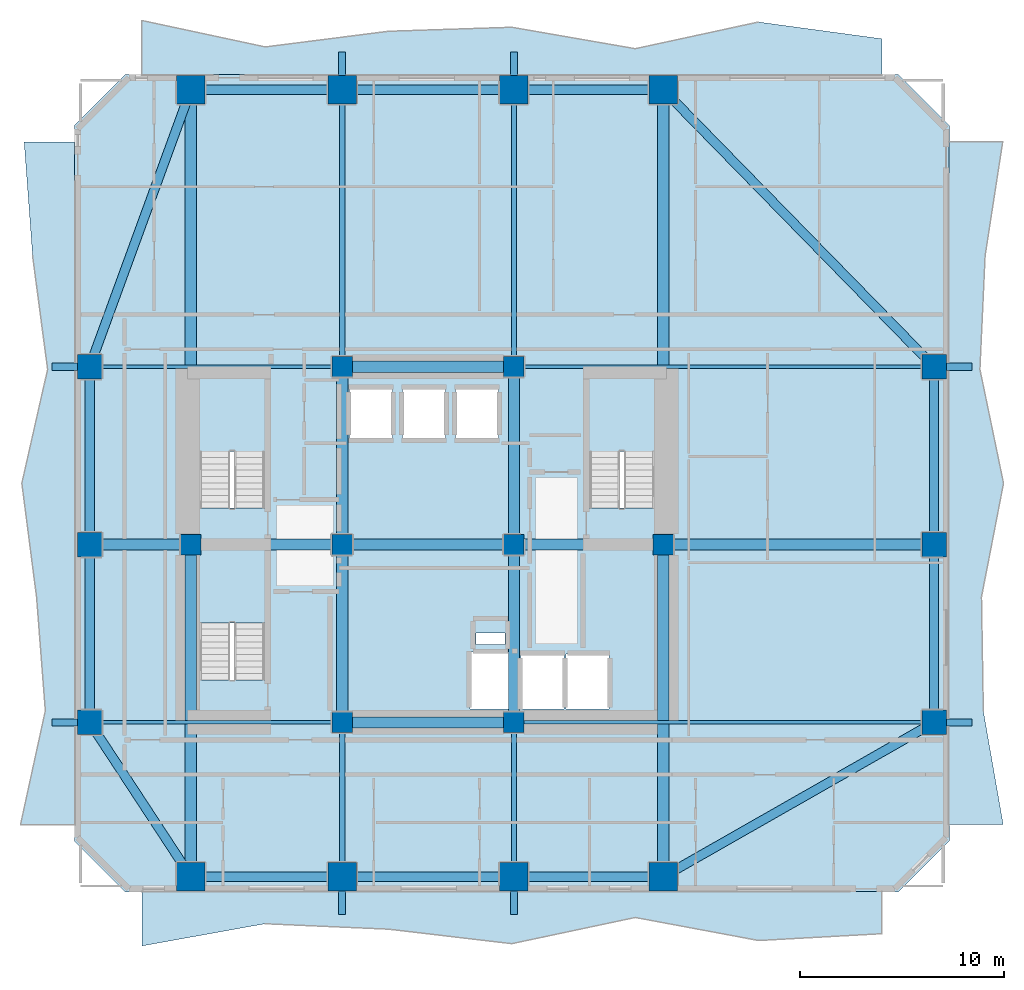
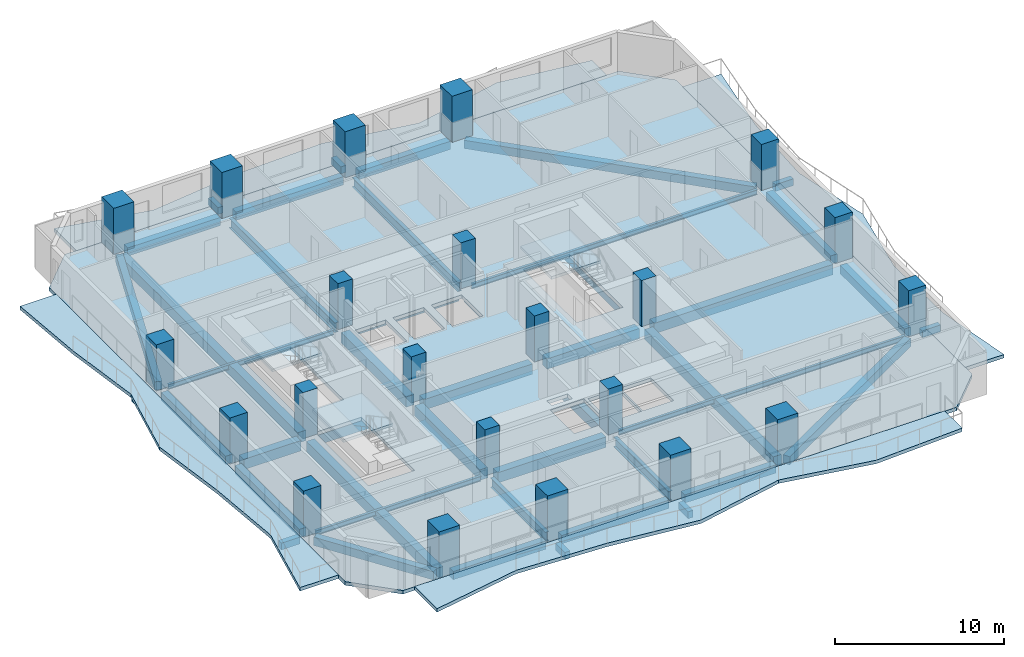
# One storey, part 1 of 11: 45 beams, 22 columns, 8 slabs, 3 elements without a shape of their own.
"""IFC4 building model written with IfcOpenShell, lengths in metres."""

from ifc_helpers import new_model, si_unit, direction, frame, origin, origin_2d, place, context, subcontext, project, spatial, polyline, rectangle, i_section, outline, extrude, material, layer, layer_set, material_profile, profile_set, type_object, element, aggregate, save


model = new_model("IFC4")

# Units and contexts
model_context = context("Model", 3, precision=1e-05, world=origin(), true_north=direction((0.0, 1.0)))
body_context = subcontext(model_context, "Body", "Model", "MODEL_VIEW")
ifc_project = project(units=[si_unit("LENGTHUNIT", "METRE"), si_unit("AREAUNIT", "SQUARE_METRE"), si_unit("VOLUMEUNIT", "CUBIC_METRE"), si_unit("PLANEANGLEUNIT", "RADIAN"), si_unit("MASSUNIT", "GRAM", prefix="KILO")], contexts=[model_context])

# Site, building, storey
site_placement = place(None, origin())
site = spatial("IfcSite", under=ifc_project, at=site_placement, CompositionType="ELEMENT")
building_placement = place(site_placement, origin())
building = spatial("IfcBuilding", under=site, at=building_placement, Name="Solanera Arch Residences", CompositionType="ELEMENT")
storey_placement = place(building_placement, frame((0.0, 0.0, 68.47998046875)))
storey = spatial("IfcBuildingStorey", under=building, at=storey_placement, Name="L19", CompositionType="ELEMENT", Elevation=68.47998046875)

# Columns
ifc_material_1 = material(Name="Concrete C55/67 (f'c = 60 MPa)", Category="concrete")
ifc_material_profile_1 = material_profile(ifc_material_1, rectangle(XDim=1.0, YDim=1.0, at=origin_2d()))
ifc_profile_set_1 = profile_set([ifc_material_profile_1], Name="Concrete C55/67 (f'c = 60 MPa)")
column_type_1 = type_object("IfcColumnType", Name="Structural Column RC-COL-1000X1000", PredefinedType="COLUMN", material=ifc_profile_set_1)
for number, where, z_axis, x_axis, name in (
    (1, (20.800048828125, 22.0, 0.0), (0.0, 0.0, 1.0), (1.0, 0.0, 0.0), "COL-L19-CB-SW"),
    (2, (29.199951171875, 22.0, 0.0), (0.0, 0.0, 1.0), (1.0, 0.0, 0.0), "COL-L19-CB-SE"),
    (3, (20.800048828125, 39.39990234375, 0.0), (0.0, 0.0, 1.0), (1.0, 0.0, 0.0), "COL-L19-CB-NW"),
    (4, (29.199951171875, 39.39990234375, 0.0), (0.0, 0.0, 1.0), (1.0, 0.0, 0.0), "COL-L19-CB-NE"),
    (5, (13.39990234375, 30.699951171875, 0.0), (0.0, 0.0, 1.0), (1.0, 0.0, 0.0), "COL-L19-CB-WW"),
    (6, (36.5, 30.699951171875, 0.0), (0.0, 0.0, 1.0), (1.0, 0.0, 0.0), "COL-L19-CB-EE"),
    (7, (20.800048828125, 30.699951171875, 0.0), (0.0, 0.0, 1.0), (1.0, 0.0, 0.0), "COL-L19-CORE-W"),
    (8, (29.199951171875, 30.699951171875, 0.0), (0.0, 0.0, 1.0), (1.0, 0.0, 0.0), "COL-L19-CORE-E"),
):
    element("IfcColumn", number, at=place(storey_placement, frame(where, z_axis=z_axis, x_axis=x_axis)), inside=storey, type_object=column_type_1, Name=name, PredefinedType="COLUMN", context=body_context, shape_type="SweptSolid", body=[
        extrude(rectangle(XDim=1.0, YDim=1.0, at=origin_2d()), origin(), (0.0, 0.0, 1.0), 3.320068359375),
    ])
ifc_material_2 = material(Name="Concrete C55/67 (f'c = 60 MPa)", Category="concrete")
ifc_material_profile_2 = material_profile(ifc_material_2, rectangle(XDim=1.199951171875, YDim=1.199951171875, at=origin_2d()))
ifc_profile_set_2 = profile_set([ifc_material_profile_2], Name="Concrete C55/67 (f'c = 60 MPa)")
column_type_2 = type_object("IfcColumnType", Name="Structural Column RC-COL-1200X1200", PredefinedType="COLUMN", material=ifc_profile_set_2)
for number, where, z_axis, x_axis, name in (
    (9, (8.449951171875, 22.0, 0.0), (0.0, 0.0, 1.0), (1.0, 0.0, 0.0), "COL-L19-TWR-09"),
    (10, (49.75, 22.0, 0.0), (0.0, 0.0, 1.0), (1.0, 0.0, 0.0), "COL-L19-TWR-10"),
    (11, (8.449951171875, 30.699951171875, 0.0), (0.0, 0.0, 1.0), (1.0, 0.0, 0.0), "COL-L19-TWR-11"),
    (12, (49.75, 30.699951171875, 0.0), (0.0, 0.0, 1.0), (1.0, 0.0, 0.0), "COL-L19-TWR-12"),
    (13, (8.449951171875, 39.39990234375, 0.0), (0.0, 0.0, 1.0), (1.0, 0.0, 0.0), "COL-L19-TWR-13"),
    (14, (49.75, 39.39990234375, 0.0), (0.0, 0.0, 1.0), (1.0, 0.0, 0.0), "COL-L19-TWR-14"),
):
    element("IfcColumn", number, at=place(storey_placement, frame(where, z_axis=z_axis, x_axis=x_axis)), inside=storey, type_object=column_type_2, Name=name, PredefinedType="COLUMN", context=body_context, shape_type="SweptSolid", body=[
        extrude(rectangle(XDim=1.199951171875, YDim=1.199951171875, at=origin_2d()), origin(), (0.0, 0.0, 1.0), 3.320068359375),
    ])
ifc_material_3 = material(Name="Concrete C55/67 (f'c = 60 MPa)", Category="concrete")
ifc_material_profile_3 = material_profile(ifc_material_3, rectangle(XDim=1.39990234375, YDim=1.39990234375, at=origin_2d()))
ifc_profile_set_3 = profile_set([ifc_material_profile_3], Name="Concrete C55/67 (f'c = 60 MPa)")
column_type_3 = type_object("IfcColumnType", Name="Structural Column RC-COL-1400X1400", PredefinedType="COLUMN", material=ifc_profile_set_3)
for number, where, z_axis, x_axis, name in (
    (15, (13.39990234375, 14.449951171875, 0.0), (0.0, 0.0, 1.0), (1.0, 0.0, 0.0), "COL-L19-TWR-01"),
    (16, (13.39990234375, 52.949951171875, 0.0), (0.0, 0.0, 1.0), (1.0, 0.0, 0.0), "COL-L19-TWR-02"),
    (17, (20.800048828125, 14.449951171875, 0.0), (0.0, 0.0, 1.0), (1.0, 0.0, 0.0), "COL-L19-TWR-03"),
    (18, (20.800048828125, 52.949951171875, 0.0), (0.0, 0.0, 1.0), (1.0, 0.0, 0.0), "COL-L19-TWR-04"),
    (19, (29.199951171875, 14.449951171875, 0.0), (0.0, 0.0, 1.0), (1.0, 0.0, 0.0), "COL-L19-TWR-05"),
    (20, (29.199951171875, 52.949951171875, 0.0), (0.0, 0.0, 1.0), (1.0, 0.0, 0.0), "COL-L19-TWR-06"),
    (21, (36.5, 14.449951171875, 0.0), (0.0, 0.0, 1.0), (1.0, 0.0, 0.0), "COL-L19-TWR-07"),
    (22, (36.5, 52.949951171875, 0.0), (0.0, 0.0, 1.0), (1.0, 0.0, 0.0), "COL-L19-TWR-08"),
):
    element("IfcColumn", number, at=place(storey_placement, frame(where, z_axis=z_axis, x_axis=x_axis)), inside=storey, type_object=column_type_3, Name=name, PredefinedType="COLUMN", context=body_context, shape_type="SweptSolid", body=[
        extrude(rectangle(XDim=1.39990234375, YDim=1.39990234375, at=origin_2d()), origin(), (0.0, 0.0, 1.0), 3.320068359375),
    ])

# Beams
ifc_material_4 = material(Name="Concrete C40/50 (f'c = 45 MPa)", Category="concrete")
ifc_material_profile_4 = material_profile(ifc_material_4, rectangle(XDim=0.35009765625, YDim=0.5, at=origin_2d()))
ifc_profile_set_4 = profile_set([ifc_material_profile_4], Name="Concrete C40/50 (f'c = 45 MPa)")
beam_type_1 = type_object("IfcBeamType", Name="BM-BALC-RIB", PredefinedType="BEAM", material=ifc_profile_set_4)
for number, where, z_axis, x_axis, name in (
    (23, (20.800048828125, 12.60009765625, -0.5), (0.0, 1.0, 0.0), (-1.0, 0.0, 0.0), "BM-L19-BRIB-S1"),
    (24, (29.199951171875, 12.60009765625, -0.5), (0.0, 1.0, 0.0), (-1.0, 0.0, 0.0), "BM-L19-BRIB-S2"),
):
    element("IfcBeam", number, at=place(storey_placement, frame(where, z_axis=z_axis, x_axis=x_axis)), inside=storey, type_object=beam_type_1, Name=name, PredefinedType="BEAM", context=body_context, shape_type="SweptSolid", body=[
        extrude(rectangle(XDim=0.35009765625, YDim=0.5, at=origin_2d()), origin(), (0.0, 0.0, 1.0), 1.14990234375),
    ])
for number, where, z_axis, x_axis, name in (
    (25, (20.800048828125, 53.64990234375, -0.5), (0.0, 1.0, 0.0), (-1.0, 0.0, 0.0), "BM-L19-BRIB-N1"),
    (26, (29.199951171875, 53.64990234375, -0.5), (0.0, 1.0, 0.0), (-1.0, 0.0, 0.0), "BM-L19-BRIB-N2"),
):
    element("IfcBeam", number, at=place(storey_placement, frame(where, z_axis=z_axis, x_axis=x_axis)), inside=storey, type_object=beam_type_1, Name=name, PredefinedType="BEAM", context=body_context, shape_type="SweptSolid", body=[
        extrude(rectangle(XDim=0.35009765625, YDim=0.5, at=origin_2d()), origin(), (0.0, 0.0, 1.0), 1.150146484375),
    ])
for number, where, z_axis, x_axis, name in (
    (27, (50.35009765625, 22.0, -0.5), (1.0, 0.0, 0.0), (0.0, 1.0, 0.0), "BM-L19-BRIB-E1"),
    (28, (50.35009765625, 39.39990234375, -0.5), (1.0, 0.0, 0.0), (0.0, 1.0, 0.0), "BM-L19-BRIB-E2"),
    (29, (6.60009765625, 22.0, -0.5), (1.0, 0.0, 0.0), (0.0, 1.0, 0.0), "BM-L19-BRIB-W1"),
    (30, (6.60009765625, 39.39990234375, -0.5), (1.0, 0.0, 0.0), (0.0, 1.0, 0.0), "BM-L19-BRIB-W2"),
):
    element("IfcBeam", number, at=place(storey_placement, frame(where, z_axis=z_axis, x_axis=x_axis)), inside=storey, type_object=beam_type_1, Name=name, PredefinedType="BEAM", context=body_context, shape_type="SweptSolid", body=[
        extrude(rectangle(XDim=0.35009765625, YDim=0.5, at=origin_2d()), origin(), (0.0, 0.0, 1.0), 1.25),
    ])
ifc_material_5 = material(Name="Concrete C40/50 (f'c = 45 MPa)", Category="concrete")
ifc_material_profile_5 = material_profile(ifc_material_5, rectangle(XDim=0.550048828125, YDim=0.75, at=origin_2d()))
ifc_profile_set_5 = profile_set([ifc_material_profile_5], Name="Concrete C40/50 (f'c = 45 MPa)")
beam_type_2 = type_object("IfcBeamType", Name="Primary Beam RC-BM-550X750", PredefinedType="BEAM", material=ifc_profile_set_5)
beam_1_placement = place(storey_placement, frame((20.800048828125, 22.50390625, -0.635009765625), z_axis=(0.0, 1.0, 0.0), x_axis=(-1.0, 0.0, 0.0)))
element("IfcBeam", 31, at=beam_1_placement, inside=storey, type_object=beam_type_2, Name="BM-L19-CC-S-208", PredefinedType="BEAM", context=body_context, shape_type="SweptSolid", body=[
    extrude(rectangle(XDim=0.550048828125, YDim=0.75, at=origin_2d()), origin(), (0.0, 0.0, 1.0), 7.692138671875),
])
beam_2_placement = place(storey_placement, frame((20.800048828125, 31.2041015625, -0.635009765625), z_axis=(0.0, 1.0, 0.0), x_axis=(-1.0, 0.0, 0.0)))
element("IfcBeam", 32, at=beam_2_placement, inside=storey, type_object=beam_type_2, Name="BM-L19-CC-N-208", PredefinedType="BEAM", context=body_context, shape_type="SweptSolid", body=[
    extrude(rectangle(XDim=0.550048828125, YDim=0.75, at=origin_2d()), origin(), (0.0, 0.0, 1.0), 7.69189453125),
])
beam_3_placement = place(storey_placement, frame((29.199951171875, 22.50390625, -0.635009765625), z_axis=(0.0, 1.0, 0.0), x_axis=(-1.0, 0.0, 0.0)))
element("IfcBeam", 33, at=beam_3_placement, inside=storey, type_object=beam_type_2, Name="BM-L19-CC-S-292", PredefinedType="BEAM", context=body_context, shape_type="SweptSolid", body=[
    extrude(rectangle(XDim=0.550048828125, YDim=0.75, at=origin_2d()), origin(), (0.0, 0.0, 1.0), 7.692138671875),
])
beam_4_placement = place(storey_placement, frame((29.199951171875, 31.2041015625, -0.635009765625), z_axis=(0.0, 1.0, 0.0), x_axis=(-1.0, 0.0, 0.0)))
element("IfcBeam", 34, at=beam_4_placement, inside=storey, type_object=beam_type_2, Name="BM-L19-CC-N-292", PredefinedType="BEAM", context=body_context, shape_type="SweptSolid", body=[
    extrude(rectangle(XDim=0.550048828125, YDim=0.75, at=origin_2d()), origin(), (0.0, 0.0, 1.0), 7.69189453125),
])
for number, where, z_axis, x_axis, name in (
    (35, (21.303955078125, 22.0, -0.635009765625), (1.0, 0.0, 0.0), (0.0, 1.0, 0.0), "BM-L19-CC-M-220"),
    (36, (21.303955078125, 30.699951171875, -0.635009765625), (1.0, 0.0, 0.0), (0.0, 1.0, 0.0), "BM-L19-CC-M-307"),
    (37, (21.303955078125, 39.39990234375, -0.635009765625), (1.0, 0.0, 0.0), (0.0, 1.0, 0.0), "BM-L19-CC-M-394"),
):
    element("IfcBeam", number, at=place(storey_placement, frame(where, z_axis=z_axis, x_axis=x_axis)), inside=storey, type_object=beam_type_2, Name=name, PredefinedType="BEAM", context=body_context, shape_type="SweptSolid", body=[
        extrude(rectangle(XDim=0.550048828125, YDim=0.75, at=origin_2d()), origin(), (0.0, 0.0, 1.0), 7.39208984375),
    ])
beam_5_placement = place(storey_placement, frame((13.904052734375, 30.699951171875, -0.635009765625), z_axis=(1.0, 0.0, 0.0), x_axis=(0.0, 1.0, 0.0)))
element("IfcBeam", 38, at=beam_5_placement, inside=storey, type_object=beam_type_2, Name="BM-L19-CC-W", PredefinedType="BEAM", context=body_context, shape_type="SweptSolid", body=[
    extrude(rectangle(XDim=0.550048828125, YDim=0.75, at=origin_2d()), origin(), (0.0, 0.0, 1.0), 6.391845703125),
])
beam_6_placement = place(storey_placement, frame((29.7041015625, 30.699951171875, -0.635009765625), z_axis=(1.0, 0.0, 0.0), x_axis=(0.0, 1.0, 0.0)))
element("IfcBeam", 39, at=beam_6_placement, inside=storey, type_object=beam_type_2, Name="BM-L19-CC-E", PredefinedType="BEAM", context=body_context, shape_type="SweptSolid", body=[
    extrude(rectangle(XDim=0.550048828125, YDim=0.75, at=origin_2d()), origin(), (0.0, 0.0, 1.0), 6.2919921875),
])
beam_7_placement = place(storey_placement, frame((13.39990234375, 14.989990234375, -0.635009765625), z_axis=(0.0, 1.0, 0.0), x_axis=(-1.0, 0.0, 0.0)))
element("IfcBeam", 40, at=beam_7_placement, inside=storey, type_object=beam_type_2, Name="BM-L19-RAD-OS-134", PredefinedType="BEAM", context=body_context, shape_type="SweptSolid", body=[
    extrude(rectangle(XDim=0.550048828125, YDim=0.75, at=origin_2d()), origin(), (0.0, 0.0, 1.0), 15.2060546875),
])
beam_8_placement = place(storey_placement, frame((13.39990234375, 31.2041015625, -0.635009765625), z_axis=(0.0, 1.0, 0.0), x_axis=(-1.0, 0.0, 0.0)))
element("IfcBeam", 41, at=beam_8_placement, inside=storey, type_object=beam_type_2, Name="BM-L19-RAD-ON-134", PredefinedType="BEAM", context=body_context, shape_type="SweptSolid", body=[
    extrude(rectangle(XDim=0.550048828125, YDim=0.75, at=origin_2d()), origin(), (0.0, 0.0, 1.0), 21.205810546875),
])
beam_9_placement = place(storey_placement, frame((36.5, 14.989990234375, -0.635009765625), z_axis=(0.0, 1.0, 0.0), x_axis=(-1.0, 0.0, 0.0)))
element("IfcBeam", 42, at=beam_9_placement, inside=storey, type_object=beam_type_2, Name="BM-L19-RAD-OS-365", PredefinedType="BEAM", context=body_context, shape_type="SweptSolid", body=[
    extrude(rectangle(XDim=0.550048828125, YDim=0.75, at=origin_2d()), origin(), (0.0, 0.0, 1.0), 15.2060546875),
])
beam_10_placement = place(storey_placement, frame((36.5, 31.2041015625, -0.635009765625), z_axis=(0.0, 1.0, 0.0), x_axis=(-1.0, 0.0, 0.0)))
element("IfcBeam", 43, at=beam_10_placement, inside=storey, type_object=beam_type_2, Name="BM-L19-RAD-ON-365", PredefinedType="BEAM", context=body_context, shape_type="SweptSolid", body=[
    extrude(rectangle(XDim=0.550048828125, YDim=0.75, at=origin_2d()), origin(), (0.0, 0.0, 1.0), 21.205810546875),
])
beam_11_placement = place(storey_placement, frame((8.989990234375, 30.699951171875, -0.635009765625), z_axis=(1.0, 0.0, 0.0), x_axis=(0.0, 1.0, 0.0)))
element("IfcBeam", 44, at=beam_11_placement, inside=storey, type_object=beam_type_2, Name="BM-L19-RAD-MW", PredefinedType="BEAM", context=body_context, shape_type="SweptSolid", body=[
    extrude(rectangle(XDim=0.550048828125, YDim=0.75, at=origin_2d()), origin(), (0.0, 0.0, 1.0), 3.906005859375),
])
beam_12_placement = place(storey_placement, frame((37.00390625, 30.699951171875, -0.635009765625), z_axis=(1.0, 0.0, 0.0), x_axis=(0.0, 1.0, 0.0)))
element("IfcBeam", 45, at=beam_12_placement, inside=storey, type_object=beam_type_2, Name="BM-L19-RAD-ME", PredefinedType="BEAM", context=body_context, shape_type="SweptSolid", body=[
    extrude(rectangle(XDim=0.550048828125, YDim=0.75, at=origin_2d()), origin(), (0.0, 0.0, 1.0), 12.2060546875),
])
ifc_material_6 = material(Name="Steel S355 (ASTM A992 / A572 Grade 50)", Category="steel")
ifc_material_profile_6 = material_profile(ifc_material_6, i_section(OverallWidth=0.256103515625, OverallDepth=0.693115234375, WebThickness=0.014404296875, FlangeThickness=0.023681640625, at=origin_2d()))
ifc_profile_set_6 = profile_set([ifc_material_profile_6], Name="Steel S355 (ASTM A992 / A572 Grade 50)")
beam_type_3 = type_object("IfcBeamType", Name="Primary Beam W690X170", PredefinedType="BEAM", material=ifc_profile_set_6)
beam_13_placement = place(storey_placement, frame((20.800048828125, 14.989990234375, -0.60693359375), z_axis=(0.0, 1.0, 0.0), x_axis=(-1.0, 0.0, 0.0)))
element("IfcBeam", 46, at=beam_13_placement, inside=storey, type_object=beam_type_3, Name="BM-L19-RAD-S-208", PredefinedType="BEAM", context=body_context, shape_type="SweptSolid", body=[
    extrude(i_section(OverallWidth=0.256103515625, OverallDepth=0.693115234375, WebThickness=0.014404296875, FlangeThickness=0.023681640625, at=origin_2d()), origin(), (0.0, 0.0, 1.0), 6.506103515625),
])
beam_14_placement = place(storey_placement, frame((20.800048828125, 39.904052734375, -0.60693359375), z_axis=(0.0, 1.0, 0.0), x_axis=(-1.0, 0.0, 0.0)))
element("IfcBeam", 47, at=beam_14_placement, inside=storey, type_object=beam_type_3, Name="BM-L19-RAD-N-208", PredefinedType="BEAM", context=body_context, shape_type="SweptSolid", body=[
    extrude(i_section(OverallWidth=0.256103515625, OverallDepth=0.693115234375, WebThickness=0.014404296875, FlangeThickness=0.023681640625, at=origin_2d()), origin(), (0.0, 0.0, 1.0), 12.505859375),
])
beam_15_placement = place(storey_placement, frame((29.199951171875, 14.989990234375, -0.60693359375), z_axis=(0.0, 1.0, 0.0), x_axis=(-1.0, 0.0, 0.0)))
element("IfcBeam", 48, at=beam_15_placement, inside=storey, type_object=beam_type_3, Name="BM-L19-RAD-S-292", PredefinedType="BEAM", context=body_context, shape_type="SweptSolid", body=[
    extrude(i_section(OverallWidth=0.256103515625, OverallDepth=0.693115234375, WebThickness=0.014404296875, FlangeThickness=0.023681640625, at=origin_2d()), origin(), (0.0, 0.0, 1.0), 6.506103515625),
])
beam_16_placement = place(storey_placement, frame((29.199951171875, 39.904052734375, -0.60693359375), z_axis=(0.0, 1.0, 0.0), x_axis=(-1.0, 0.0, 0.0)))
element("IfcBeam", 49, at=beam_16_placement, inside=storey, type_object=beam_type_3, Name="BM-L19-RAD-N-292", PredefinedType="BEAM", context=body_context, shape_type="SweptSolid", body=[
    extrude(i_section(OverallWidth=0.256103515625, OverallDepth=0.693115234375, WebThickness=0.014404296875, FlangeThickness=0.023681640625, at=origin_2d()), origin(), (0.0, 0.0, 1.0), 12.505859375),
])
ifc_material_7 = material(Name="Steel S355 (ASTM A992 / A572 Grade 50)", Category="steel")
ifc_material_profile_7 = material_profile(ifc_material_7, i_section(OverallWidth=0.172119140625, OverallDepth=0.35791015625, WebThickness=0.0078125, FlangeThickness=0.01318359375, at=origin_2d()))
ifc_profile_set_7 = profile_set([ifc_material_profile_7], Name="Steel S355 (ASTM A992 / A572 Grade 50)")
beam_type_4 = type_object("IfcBeamType", Name="Secondary Joist W360X57.8", PredefinedType="JOIST", material=ifc_profile_set_7)
beam_17_placement = place(storey_placement, frame((8.989990234375, 22.0, -0.43896484375), z_axis=(1.0, 0.0, 0.0), x_axis=(0.0, 1.0, 0.0)))
element("IfcBeam", 50, at=beam_17_placement, inside=storey, type_object=beam_type_4, Name="BM-L19-RAD-W-220", PredefinedType="JOIST", context=body_context, shape_type="SweptSolid", body=[
    extrude(i_section(OverallWidth=0.172119140625, OverallDepth=0.35791015625, WebThickness=0.0078125, FlangeThickness=0.01318359375, at=origin_2d()), origin(), (0.0, 0.0, 1.0), 11.305908203125),
])
beam_18_placement = place(storey_placement, frame((29.7041015625, 22.0, -0.43896484375), z_axis=(1.0, 0.0, 0.0), x_axis=(0.0, 1.0, 0.0)))
element("IfcBeam", 51, at=beam_18_placement, inside=storey, type_object=beam_type_4, Name="BM-L19-RAD-E-220", PredefinedType="JOIST", context=body_context, shape_type="SweptSolid", body=[
    extrude(i_section(OverallWidth=0.172119140625, OverallDepth=0.35791015625, WebThickness=0.0078125, FlangeThickness=0.01318359375, at=origin_2d()), origin(), (0.0, 0.0, 1.0), 19.505859375),
])
beam_19_placement = place(storey_placement, frame((8.989990234375, 39.39990234375, -0.43896484375), z_axis=(1.0, 0.0, 0.0), x_axis=(0.0, 1.0, 0.0)))
element("IfcBeam", 52, at=beam_19_placement, inside=storey, type_object=beam_type_4, Name="BM-L19-RAD-W-394", PredefinedType="JOIST", context=body_context, shape_type="SweptSolid", body=[
    extrude(i_section(OverallWidth=0.172119140625, OverallDepth=0.35791015625, WebThickness=0.0078125, FlangeThickness=0.01318359375, at=origin_2d()), origin(), (0.0, 0.0, 1.0), 11.305908203125),
])
beam_20_placement = place(storey_placement, frame((29.7041015625, 39.39990234375, -0.43896484375), z_axis=(1.0, 0.0, 0.0), x_axis=(0.0, 1.0, 0.0)))
element("IfcBeam", 53, at=beam_20_placement, inside=storey, type_object=beam_type_4, Name="BM-L19-RAD-E-394", PredefinedType="JOIST", context=body_context, shape_type="SweptSolid", body=[
    extrude(i_section(OverallWidth=0.172119140625, OverallDepth=0.35791015625, WebThickness=0.0078125, FlangeThickness=0.01318359375, at=origin_2d()), origin(), (0.0, 0.0, 1.0), 19.505859375),
])
ifc_material_8 = material(Name="Concrete C40/50 (f'c = 45 MPa)", Category="concrete")
ifc_material_profile_8 = material_profile(ifc_material_8, rectangle(XDim=0.449951171875, YDim=0.60009765625, at=origin_2d()))
ifc_profile_set_8 = profile_set([ifc_material_profile_8], Name="Concrete C40/50 (f'c = 45 MPa)")
beam_type_5 = type_object("IfcBeamType", Name="Spandrel Beam RC-BM-450X600", PredefinedType="SPANDREL", material=ifc_profile_set_8)
for number, where, z_axis, x_axis, name in (
    (54, (13.93994140625, 14.449951171875, -0.56005859375), (1.0, 0.0, 0.0), (0.0, 1.0, 0.0), "BM-L19-SPN-S-1"),
    (55, (13.93994140625, 52.949951171875, -0.56005859375), (1.0, 0.0, 0.0), (0.0, 1.0, 0.0), "BM-L19-SPN-N-1"),
):
    element("IfcBeam", number, at=place(storey_placement, frame(where, z_axis=z_axis, x_axis=x_axis)), inside=storey, type_object=beam_type_5, Name=name, PredefinedType="SPANDREL", context=body_context, shape_type="SweptSolid", body=[
        extrude(rectangle(XDim=0.449951171875, YDim=0.60009765625, at=origin_2d()), origin(), (0.0, 0.0, 1.0), 6.320068359375),
    ])
for number, where, z_axis, x_axis, name in (
    (56, (21.340087890625, 14.449951171875, -0.56005859375), (1.0, 0.0, 0.0), (0.0, 1.0, 0.0), "BM-L19-SPN-S-2"),
    (57, (21.340087890625, 52.949951171875, -0.56005859375), (1.0, 0.0, 0.0), (0.0, 1.0, 0.0), "BM-L19-SPN-N-2"),
):
    element("IfcBeam", number, at=place(storey_placement, frame(where, z_axis=z_axis, x_axis=x_axis)), inside=storey, type_object=beam_type_5, Name=name, PredefinedType="SPANDREL", context=body_context, shape_type="SweptSolid", body=[
        extrude(rectangle(XDim=0.449951171875, YDim=0.60009765625, at=origin_2d()), origin(), (0.0, 0.0, 1.0), 7.31982421875),
    ])
for number, where, z_axis, x_axis, name in (
    (58, (29.739990234375, 14.449951171875, -0.56005859375), (1.0, 0.0, 0.0), (0.0, 1.0, 0.0), "BM-L19-SPN-S-3"),
    (59, (29.739990234375, 52.949951171875, -0.56005859375), (1.0, 0.0, 0.0), (0.0, 1.0, 0.0), "BM-L19-SPN-N-3"),
):
    element("IfcBeam", number, at=place(storey_placement, frame(where, z_axis=z_axis, x_axis=x_axis)), inside=storey, type_object=beam_type_5, Name=name, PredefinedType="SPANDREL", context=body_context, shape_type="SweptSolid", body=[
        extrude(rectangle(XDim=0.449951171875, YDim=0.60009765625, at=origin_2d()), origin(), (0.0, 0.0, 1.0), 6.219970703125),
    ])
for number, where, z_axis, x_axis, name in (
    (60, (8.449951171875, 22.5400390625, -0.56005859375), (0.0, 1.0, 0.0), (-1.0, 0.0, 0.0), "BM-L19-SPN-W-1"),
    (61, (49.75, 22.5400390625, -0.56005859375), (0.0, 1.0, 0.0), (-1.0, 0.0, 0.0), "BM-L19-SPN-E-1"),
):
    element("IfcBeam", number, at=place(storey_placement, frame(where, z_axis=z_axis, x_axis=x_axis)), inside=storey, type_object=beam_type_5, Name=name, PredefinedType="SPANDREL", context=body_context, shape_type="SweptSolid", body=[
        extrude(rectangle(XDim=0.449951171875, YDim=0.60009765625, at=origin_2d()), origin(), (0.0, 0.0, 1.0), 7.619873046875),
    ])
for number, where, z_axis, x_axis, name in (
    (62, (8.449951171875, 31.239990234375, -0.56005859375), (0.0, 1.0, 0.0), (-1.0, 0.0, 0.0), "BM-L19-SPN-W-2"),
    (63, (49.75, 31.239990234375, -0.56005859375), (0.0, 1.0, 0.0), (-1.0, 0.0, 0.0), "BM-L19-SPN-E-2"),
):
    element("IfcBeam", number, at=place(storey_placement, frame(where, z_axis=z_axis, x_axis=x_axis)), inside=storey, type_object=beam_type_5, Name=name, PredefinedType="SPANDREL", context=body_context, shape_type="SweptSolid", body=[
        extrude(rectangle(XDim=0.449951171875, YDim=0.60009765625, at=origin_2d()), origin(), (0.0, 0.0, 1.0), 7.6201171875),
    ])
beam_21_placement = place(storey_placement, frame((13.10400390625, 14.902099609375, -0.56005859375), z_axis=(-0.548346397052, 0.836251295269, 0.0), x_axis=(-0.836251295269, -0.548346397052, 0.0)))
element("IfcBeam", 64, at=beam_21_placement, inside=storey, type_object=beam_type_5, Name="BM-L19-SPN-SW", PredefinedType="SPANDREL", context=body_context, shape_type="SweptSolid", body=[
    extrude(rectangle(XDim=0.449951171875, YDim=0.60009765625, at=origin_2d()), origin(), (0.0, 0.0, 1.0), 7.947265625),
])
beam_22_placement = place(storey_placement, frame((13.215087890625, 52.443115234375, -0.56005859375), z_axis=(-0.343164401189, -0.939275355663, 0.0), x_axis=(0.939275355663, -0.343164401189, 0.0)))
element("IfcBeam", 65, at=beam_22_placement, inside=storey, type_object=beam_type_5, Name="BM-L19-SPN-NW", PredefinedType="SPANDREL", context=body_context, shape_type="SweptSolid", body=[
    extrude(rectangle(XDim=0.449951171875, YDim=0.60009765625, at=origin_2d()), origin(), (0.0, 0.0, 1.0), 13.3466796875),
])
beam_23_placement = place(storey_placement, frame((36.968994140625, 14.717041015625, -0.56005859375), z_axis=(0.868837301814, 0.495097710534, 0.0), x_axis=(-0.495097710534, 0.868837301814, 0.0)))
element("IfcBeam", 66, at=beam_23_placement, inside=storey, type_object=beam_type_5, Name="BM-L19-SPN-SE", PredefinedType="SPANDREL", context=body_context, shape_type="SweptSolid", body=[
    extrude(rectangle(XDim=0.449951171875, YDim=0.60009765625, at=origin_2d()), origin(), (0.0, 0.0, 1.0), 14.170654296875),
])
beam_24_placement = place(storey_placement, frame((36.8779296875, 52.56396484375, -0.56005859375), z_axis=(0.699118252724, -0.715006062008, 0.0), x_axis=(0.715006062008, 0.699118252724, 0.0)))
element("IfcBeam", 67, at=beam_24_placement, inside=storey, type_object=beam_type_5, Name="BM-L19-SPN-NE", PredefinedType="SPANDREL", context=body_context, shape_type="SweptSolid", body=[
    extrude(rectangle(XDim=0.449951171875, YDim=0.60009765625, at=origin_2d()), origin(), (0.0, 0.0, 1.0), 17.871337890625),
])

# Slabs
ifc_material_9 = material(Name="Concrete C40/50 (f'c = 45 MPa)", Category="concrete")
ifc_layer_1 = layer(ifc_material_9, 0.25)
ifc_layer_set_1 = layer_set([ifc_layer_1], Name="Concrete C40/50 (f'c = 45 MPa)")
slab_type_1 = type_object("IfcSlabType", Name="Balcony Slab 250", PredefinedType="FLOOR", material=ifc_layer_set_1)
slab_1_placement = place(storey_placement, frame((0.0, 0.0, -0.25)))
element("IfcSlab", 68, at=slab_1_placement, inside=storey, type_object=slab_type_1, Name="L19 S Rippling Brise-Soleil Balcony Slab", PredefinedType="FLOOR", context=body_context, shape_type="SweptSolid", body=[
    extrude(outline(polyline([(11.0, 11.06591796875), (17.032958984375, 12.154052734375), (23.06689453125, 11.888916015625), (29.10009765625, 11.179931640625), (35.133056640625, 12.4609375), (41.1669921875, 11.3349609375), (47.199951171875, 11.6669921875), (47.199951171875, 13.719970703125), (11.0, 13.719970703125), (11.0, 11.06591796875)])), origin(), (0.0, 0.0, 1.0), 0.25),
])
slab_2_placement = place(storey_placement, frame((0.0, 0.0, -0.25)))
element("IfcSlab", 69, at=slab_2_placement, inside=storey, type_object=slab_type_1, Name="L19 N Rippling Brise-Soleil Balcony Slab", PredefinedType="FLOOR", context=body_context, shape_type="SweptSolid", body=[
    extrude(outline(polyline([(47.199951171875, 55.43798828125), (41.1669921875, 56.259033203125), (35.133056640625, 54.9541015625), (29.10009765625, 56.0029296875), (23.06689453125, 55.805908203125), (17.032958984375, 55.0400390625), (11.0, 56.333984375), (11.0, 53.679931640625), (47.199951171875, 53.679931640625), (47.199951171875, 55.43798828125)])), origin(), (0.0, 0.0, 1.0), 0.25),
])
slab_3_placement = place(storey_placement, frame((0.0, 0.0, -0.25)))
element("IfcSlab", 70, at=slab_3_placement, inside=storey, type_object=slab_type_1, Name="L19 E Rippling Brise-Soleil Balcony Slab", PredefinedType="FLOOR", context=body_context, shape_type="SweptSolid", body=[
    extrude(outline(polyline([(53.134033203125, 17.0), (52.159912109375, 22.56689453125), (52.069091796875, 28.133056640625), (53.14794921875, 33.699951171875), (51.992919921875, 39.26708984375), (52.2470703125, 44.8330078125), (53.10888671875, 50.39990234375), (50.47998046875, 50.39990234375), (50.47998046875, 17.0), (53.134033203125, 17.0)])), origin(), (0.0, 0.0, 1.0), 0.25),
])
slab_4_placement = place(storey_placement, frame((0.0, 0.0, -0.25)))
element("IfcSlab", 71, at=slab_4_placement, inside=storey, type_object=slab_type_1, Name="L19 W Rippling Brise-Soleil Balcony Slab", PredefinedType="FLOOR", context=body_context, shape_type="SweptSolid", body=[
    extrude(outline(polyline([(5.2451171875, 50.39990234375), (5.657958984375, 44.8330078125), (6.39306640625, 39.26708984375), (5.132080078125, 33.699951171875), (5.85302734375, 28.133056640625), (6.281005859375, 22.56689453125), (5.06591796875, 17.0), (7.719970703125, 17.0), (7.719970703125, 50.39990234375), (5.2451171875, 50.39990234375)])), origin(), (0.0, 0.0, 1.0), 0.25),
])

# Stair, slab
ifc_material_10 = material(Name="Concrete C40/50 (f'c = 45 MPa)", Category="concrete")
stair_type = type_object("IfcStairType", Name="Tower Dogleg Exit Stair 1480", PredefinedType="HALF_TURN_STAIR", material=ifc_material_10)
stair_1_placement = place(storey_placement, origin())
stair_1 = element("IfcStair", 72, at=stair_1_placement, inside=storey, type_object=stair_type, Name="L19 Tower Core Exit Stair 1", PredefinedType="HALF_TURN_STAIR")
ifc_material_11 = material(Name="Concrete C40/50 (f'c = 45 MPa)", Category="concrete")
ifc_layer_2 = layer(ifc_material_11, 0.199951171875)
ifc_layer_set_2 = layer_set([ifc_layer_2], Name="Concrete C40/50 (f'c = 45 MPa)")
slab_type_2 = type_object("IfcSlabType", Name="Stair Half-Landing Slab 200", PredefinedType="LANDING", material=ifc_layer_set_2)
slab_5_placement = place(storey_placement, frame((0.0, 0.0, 1.4599609375)))
slab_5 = element("IfcSlab", 73, at=slab_5_placement, type_object=slab_type_2, Name="ST-T1 landing 1", PredefinedType="LANDING", context=body_context, shape_type="SweptSolid", body=[
    extrude(outline(polyline([(17.1201171875, 35.260009765625), (17.1201171875, 38.919921875), (13.719970703125, 38.919921875), (13.719970703125, 35.260009765625), (17.1201171875, 35.260009765625)])), origin(), (0.0, 0.0, 1.0), 0.199951171875),
])
aggregate(stair_1, [slab_5])

stair_2_placement = place(storey_placement, origin())
stair_2 = element("IfcStair", 74, at=stair_2_placement, inside=storey, type_object=stair_type, Name="L19 Tower Core Exit Stair 2", PredefinedType="HALF_TURN_STAIR")
slab_6_placement = place(storey_placement, frame((0.0, 0.0, 1.4599609375)))
slab_6 = element("IfcSlab", 75, at=slab_6_placement, type_object=slab_type_2, Name="ST-T2 landing 1", PredefinedType="LANDING", context=body_context, shape_type="SweptSolid", body=[
    extrude(outline(polyline([(36.179931640625, 35.260009765625), (36.179931640625, 38.919921875), (32.780029296875, 38.919921875), (32.780029296875, 35.260009765625), (36.179931640625, 35.260009765625)])), origin(), (0.0, 0.0, 1.0), 0.199951171875),
])
aggregate(stair_2, [slab_6])

stair_3_placement = place(storey_placement, origin())
stair_3 = element("IfcStair", 76, at=stair_3_placement, inside=storey, type_object=stair_type, Name="L19 Tower Core Exit Stair 3", PredefinedType="HALF_TURN_STAIR")
slab_7_placement = place(storey_placement, frame((0.0, 0.0, 1.4599609375)))
slab_7 = element("IfcSlab", 77, at=slab_7_placement, type_object=slab_type_2, Name="ST-T3 landing 1", PredefinedType="LANDING", context=body_context, shape_type="SweptSolid", body=[
    extrude(outline(polyline([(17.1201171875, 26.860107421875), (17.1201171875, 30.52001953125), (13.719970703125, 30.52001953125), (13.719970703125, 26.860107421875), (17.1201171875, 26.860107421875)])), origin(), (0.0, 0.0, 1.0), 0.199951171875),
])
aggregate(stair_3, [slab_7])

# Slab
ifc_material_12 = material(Name="Concrete C40/50 (f'c = 45 MPa)", Category="concrete")
ifc_layer_3 = layer(ifc_material_12, 0.260009765625)
ifc_layer_set_3 = layer_set([ifc_layer_3], Name="Concrete C40/50 (f'c = 45 MPa)")
slab_type_3 = type_object("IfcSlabType", Name="Suspended Floor Slab Post-Tensioned 260", PredefinedType="FLOOR", material=ifc_layer_set_3)
slab_8_placement = place(storey_placement, frame((0.0, 0.0, -0.260009765625)))
element("IfcSlab", 78, at=slab_8_placement, inside=storey, type_object=slab_type_3, Name="L19 Tower Post-Tensioned Floor Slab", PredefinedType="FLOOR", context=body_context, shape_type="SweptSolid", body=[
    extrude(outline(polyline([(10.199951171875, 13.699951171875), (48.0, 13.699951171875), (50.5, 16.199951171875), (50.5, 51.199951171875), (48.0, 53.699951171875), (10.199951171875, 53.699951171875), (7.699951171875, 51.199951171875), (7.699951171875, 16.199951171875), (10.199951171875, 13.699951171875)]), holes=[polyline([(13.840087890625, 32.48291015625), (13.840087890625, 38.800048828125), (17.0, 38.800048828125), (17.0, 32.48291015625), (13.840087890625, 32.48291015625)]), polyline([(32.89990234375, 32.48291015625), (32.89990234375, 38.800048828125), (36.06005859375, 38.800048828125), (36.06005859375, 32.48291015625), (32.89990234375, 32.48291015625)]), polyline([(13.840087890625, 24.0830078125), (13.840087890625, 30.39990234375), (17.0, 30.39990234375), (17.0, 24.0830078125), (13.840087890625, 24.0830078125)]), polyline([(21.14990234375, 38.35009765625), (23.25, 38.35009765625), (23.25, 35.85009765625), (21.14990234375, 35.85009765625), (21.14990234375, 38.35009765625)]), polyline([(23.75, 38.35009765625), (25.85009765625, 38.35009765625), (25.85009765625, 35.85009765625), (23.75, 35.85009765625), (23.75, 38.35009765625)]), polyline([(26.35009765625, 38.35009765625), (28.449951171875, 38.35009765625), (28.449951171875, 35.85009765625), (26.35009765625, 35.85009765625), (26.35009765625, 38.35009765625)]), polyline([(29.550048828125, 25.35009765625), (31.64990234375, 25.35009765625), (31.64990234375, 22.64990234375), (29.550048828125, 22.64990234375), (29.550048828125, 25.35009765625)]), polyline([(31.75, 25.35009765625), (33.85009765625, 25.35009765625), (33.85009765625, 22.64990234375), (31.75, 22.64990234375), (31.75, 25.35009765625)]), polyline([(27.050048828125, 25.449951171875), (29.35009765625, 25.449951171875), (29.35009765625, 22.64990234375), (27.050048828125, 22.64990234375), (27.050048828125, 25.449951171875)]), polyline([(27.340087890625, 26.3798828125), (28.760009765625, 26.3798828125), (28.760009765625, 25.820068359375), (27.340087890625, 25.820068359375), (27.340087890625, 26.3798828125)])]), origin(), (0.0, 0.0, 1.0), 0.260009765625),
])

save(model, "model.ifc")
